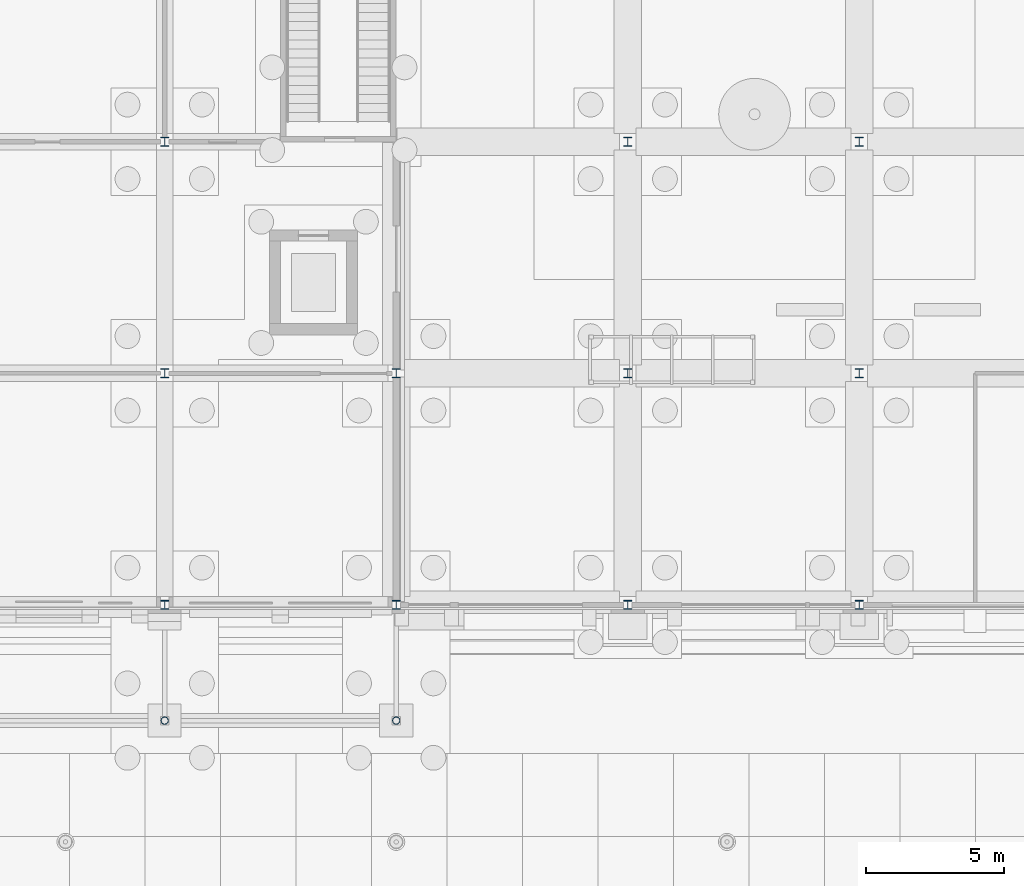
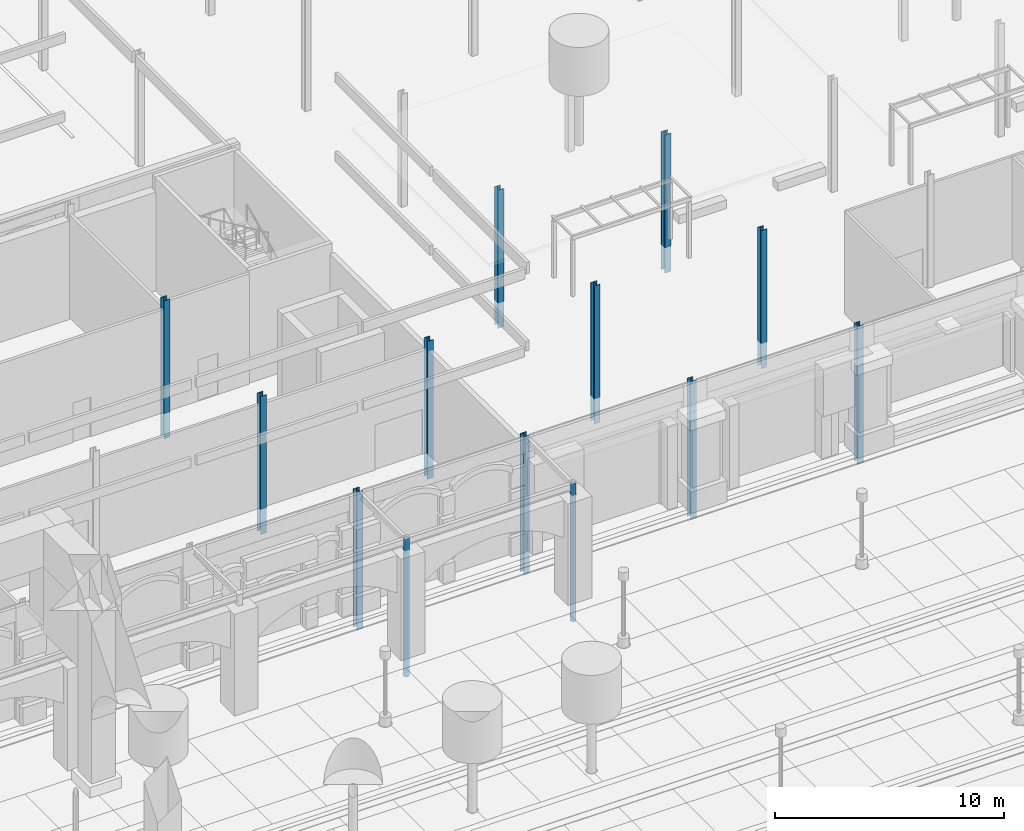
# One storey, part 27 of 222: 13 columns.
"""IFC4 building model written with IfcOpenShell, lengths in metres."""

from ifc_helpers import new_model, si_unit, direction, frame, origin, origin_2d, place, context, subcontext, project, spatial, hollow_circle, i_section, extrude, material, material_profile, profile_set, type_object, element, save


model = new_model("IFC4")

# Units and contexts
model_context = context("Model", 3, precision=1e-05, world=origin(), true_north=direction((0.0, 1.0)))
body_context = subcontext(model_context, "Body", "Model", "MODEL_VIEW")
ifc_project = project(units=[si_unit("LENGTHUNIT", "METRE"), si_unit("AREAUNIT", "SQUARE_METRE"), si_unit("VOLUMEUNIT", "CUBIC_METRE"), si_unit("PLANEANGLEUNIT", "RADIAN"), si_unit("MASSUNIT", "GRAM", prefix="KILO")], contexts=[model_context])

# Site, building, storey
site_placement = place(None, origin())
site = spatial("IfcSite", under=ifc_project, at=site_placement, CompositionType="ELEMENT")
building_placement = place(site_placement, origin())
building = spatial("IfcBuilding", under=site, at=building_placement, Name="Sava Quay Ferry Terminal", CompositionType="ELEMENT")
storey_placement = place(building_placement, origin())
storey = spatial("IfcBuildingStorey", under=building, at=storey_placement, Name="L00", CompositionType="ELEMENT", Elevation=0.0)

# Columns
ifc_material_1 = material(Name="Steel S355", Category="steel")
ifc_material_profile_1 = material_profile(ifc_material_1, hollow_circle(Radius=0.136474609375, WallThickness=0.012451171875, at=origin_2d()), Name="CHS 273 x 12.5")
ifc_profile_set_1 = profile_set([ifc_material_profile_1], Name="Steel S355")
column_type_1 = type_object("IfcColumnType", Name="Column CHS 273 x 12.5", PredefinedType="COLUMN", material=ifc_profile_set_1)
for number, where, z_axis, x_axis, name in (
    (1, (117.60009765625, 21.0, -1.35009765625), (0.0, 0.0, 1.0), (1.0, 0.0, 0.0), "Arcade column 117.6/21"),
    (2, (126.0, 21.0, -1.35009765625), (0.0, 0.0, 1.0), (1.0, 0.0, 0.0), "Arcade column 126/21"),
):
    element("IfcColumn", number, at=place(storey_placement, frame(where, z_axis=z_axis, x_axis=x_axis)), inside=storey, type_object=column_type_1, Name=name, PredefinedType="COLUMN", context=body_context, shape_type="SweptSolid", body=[
        extrude(hollow_circle(Radius=0.136474609375, WallThickness=0.012451171875, at=origin_2d()), origin(), (0.0, 0.0, 1.0), 7.35009765625),
    ])
ifc_material_2 = material(Name="Steel S355", Category="steel")
ifc_material_profile_2 = material_profile(ifc_material_2, i_section(OverallWidth=0.300048828125, OverallDepth=0.320068359375, WebThickness=0.011474609375, FlangeThickness=0.0205078125, at=origin_2d()), Name="HE 320 B")
ifc_profile_set_2 = profile_set([ifc_material_profile_2], Name="Steel S355")
column_type_2 = type_object("IfcColumnType", Name="Column HE 320 B", PredefinedType="COLUMN", material=ifc_profile_set_2)
for number, where, z_axis, x_axis, name in (
    (3, (117.60009765625, 25.199951171875, -1.35009765625), (0.0, 0.0, 1.0), (1.0, 0.0, 0.0), "Column L00 117.6/25.2"),
    (4, (117.60009765625, 33.60009765625, -1.35009765625), (0.0, 0.0, 1.0), (1.0, 0.0, 0.0), "Column L00 117.6/33.6"),
    (5, (117.60009765625, 42.0, -1.35009765625), (0.0, 0.0, 1.0), (1.0, 0.0, 0.0), "Column L00 117.6/42"),
    (6, (126.0, 25.199951171875, -1.35009765625), (0.0, 0.0, 1.0), (1.0, 0.0, 0.0), "Column L00 126/25.2"),
    (7, (126.0, 33.60009765625, -1.35009765625), (0.0, 0.0, 1.0), (1.0, 0.0, 0.0), "Column L00 126/33.6"),
    (8, (134.39990234375, 25.199951171875, -1.35009765625), (0.0, 0.0, 1.0), (1.0, 0.0, 0.0), "Column L00 134.4/25.2"),
    (9, (134.39990234375, 33.60009765625, -1.35009765625), (0.0, 0.0, 1.0), (1.0, 0.0, 0.0), "Column L00 134.4/33.6"),
    (10, (134.39990234375, 42.0, -1.35009765625), (0.0, 0.0, 1.0), (1.0, 0.0, 0.0), "Column L00 134.4/42"),
    (11, (142.800048828125, 25.199951171875, -1.35009765625), (0.0, 0.0, 1.0), (1.0, 0.0, 0.0), "Column L00 142.8/25.2"),
    (12, (142.800048828125, 33.60009765625, -1.35009765625), (0.0, 0.0, 1.0), (1.0, 0.0, 0.0), "Column L00 142.8/33.6"),
    (13, (142.800048828125, 42.0, -1.35009765625), (0.0, 0.0, 1.0), (1.0, 0.0, 0.0), "Column L00 142.8/42"),
):
    element("IfcColumn", number, at=place(storey_placement, frame(where, z_axis=z_axis, x_axis=x_axis)), inside=storey, type_object=column_type_2, Name=name, PredefinedType="COLUMN", context=body_context, shape_type="SweptSolid", body=[
        extrude(i_section(OverallWidth=0.300048828125, OverallDepth=0.320068359375, WebThickness=0.011474609375, FlangeThickness=0.0205078125, at=origin_2d()), origin(), (0.0, 0.0, 1.0), 7.35009765625),
    ])

save(model, "model.ifc")
